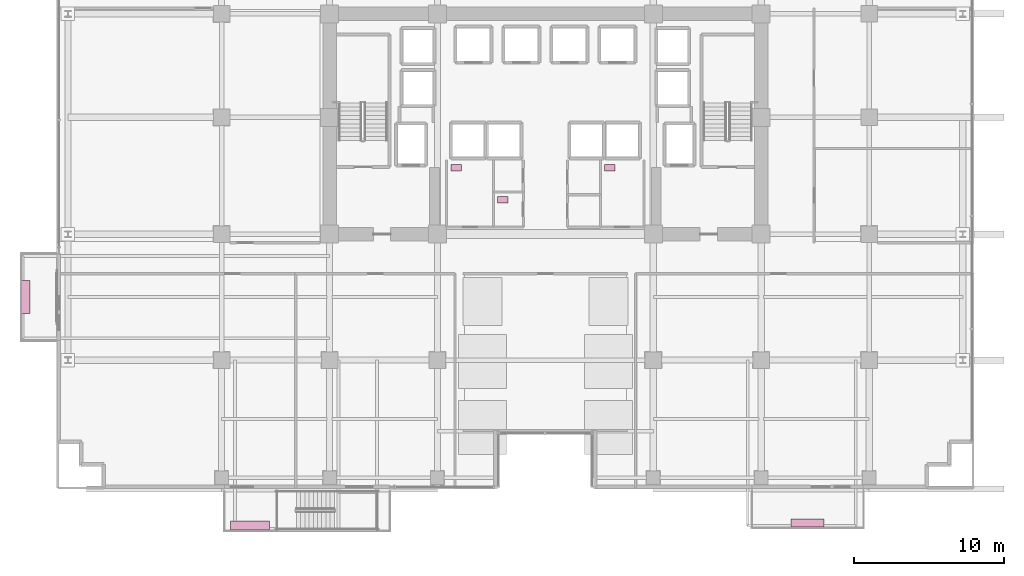
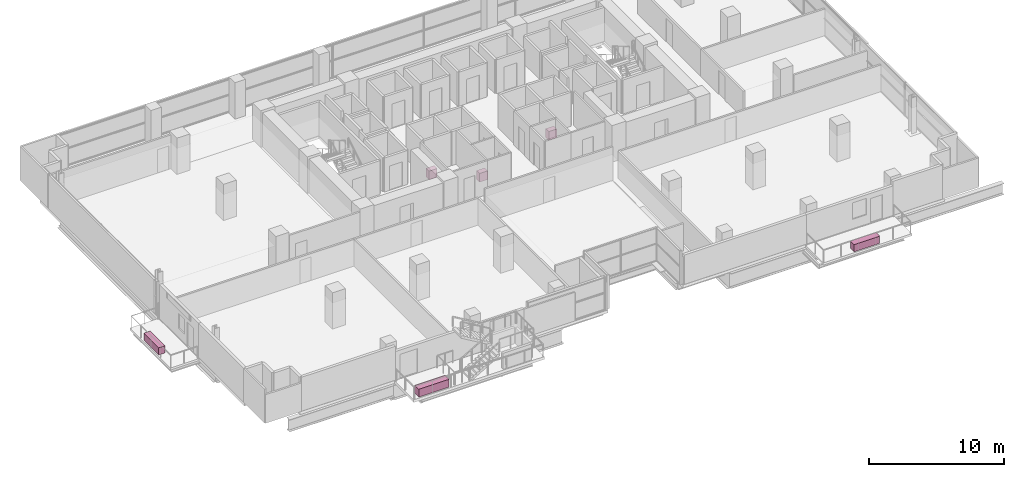
# One storey, part 32 of 32: 6 furnishings.
"""IFC4 building model written with IfcOpenShell, lengths in metres."""

from ifc_helpers import new_model, si_unit, direction, frame, origin, origin_2d, place, context, subcontext, project, spatial, rectangle, extrude, source, transform, mapped, material, type_object, element, save


model = new_model("IFC4")

# Units and contexts
model_context = context("Model", 3, precision=1e-05, world=origin(), true_north=direction((0.0, 1.0)))
body_context = subcontext(model_context, "Body", "Model", "MODEL_VIEW")
ifc_project = project(units=[si_unit("LENGTHUNIT", "METRE"), si_unit("AREAUNIT", "SQUARE_METRE"), si_unit("VOLUMEUNIT", "CUBIC_METRE"), si_unit("PLANEANGLEUNIT", "RADIAN"), si_unit("MASSUNIT", "GRAM", prefix="KILO")], contexts=[model_context])

# Site, building, storey
site_placement = place(None, origin())
site = spatial("IfcSite", under=ifc_project, at=site_placement, CompositionType="ELEMENT")
building_placement = place(site_placement, origin())
building = spatial("IfcBuilding", under=site, at=building_placement, Name="Zarnakvel Exchange Tower", CompositionType="ELEMENT")
storey_placement = place(building_placement, frame((0.0, 0.0, 27.39990234375)))
storey = spatial("IfcBuildingStorey", under=building, at=storey_placement, Name="L06", CompositionType="ELEMENT", Elevation=27.39990234375)

# Furnishings
ifc_material_1 = material(Name="Architectural Bronze Anodised Aluminium", Category="aluminium")
furnishing_element_type_1 = type_object("IfcFurnishingElementType", Name="PLNT-02", material=ifc_material_1)
shared_shape_1 = source(origin(), body_context, "Body", "SweptSolid", [
    extrude(rectangle(XDim=2.60009765625, YDim=0.60009765625, at=origin_2d()), origin(), (0.0, 0.0, 1.0), 0.699951171875),
])
furnishing_placement = place(storey_placement, frame((-19.699951171875, -20.639892578125, 0.0), z_axis=(0.0, 0.0, 1.0), x_axis=(1.0, 0.0, 0.0)))
element("IfcFurnishingElement", 1, at=furnishing_placement, inside=storey, type_object=furnishing_element_type_1, Name="L06 Spiral Sky-Terrace Tropical Planter", ObjectType="PLANTER", context=body_context, shape_type="MappedRepresentation", body=[
    mapped(shared_shape_1, transform((0.0, 0.0, 0.0), x_axis=(1.0, 0.0, 0.0), y_axis=(0.0, 1.0, 0.0), z_axis=(0.0, 0.0, 1.0), scale=1.0)),
])
furnishing_element_type_2 = type_object("IfcFurnishingElementType", Name="PLNT-01", material=ifc_material_1)
shared_shape_2 = source(origin(), body_context, "Body", "SweptSolid", [
    extrude(rectangle(XDim=2.199951171875, YDim=0.550048828125, at=origin_2d()), origin(), (0.0, 0.0, 1.0), 0.64990234375),
])
for number, where, z_axis, x_axis, name in (
    (2, (17.5, -20.469970703125, -0.059814453125), (0.0, 0.0, 1.0), (1.0, 0.0, 0.0), "L06 Balcony Greenery Planter BAL-L06-SE"),
    (3, (-34.669921875, -5.39990234375, -0.059814453125), (0.0, 0.0, 1.0), (0.0, 1.0, 0.0), "L06 Balcony Greenery Planter BAL-L06-W"),
):
    element("IfcFurnishingElement", number, at=place(storey_placement, frame(where, z_axis=z_axis, x_axis=x_axis)), inside=storey, type_object=furnishing_element_type_2, Name=name, ObjectType="PLANTER", context=body_context, shape_type="MappedRepresentation", body=[
        mapped(shared_shape_2, transform((0.0, 0.0, 0.0), x_axis=(1.0, 0.0, 0.0), y_axis=(0.0, 1.0, 0.0), z_axis=(0.0, 0.0, 1.0), scale=1.0)),
    ])
ifc_material_2 = material(Name="Vitreous China Sanitaryware", Category="ceramic")
furnishing_element_type_3 = type_object("IfcFurnishingElementType", Name="SAN-WC", material=ifc_material_2)
shared_shape_3 = source(origin(), body_context, "Body", "SweptSolid", [
    extrude(rectangle(XDim=0.699951171875, YDim=0.449951171875, at=origin_2d()), origin(), (0.0, 0.0, 1.0), 0.780029296875),
])
for number, where, z_axis, x_axis, name in (
    (4, (-5.949951171875, 3.22998046875, 0.0), (0.0, 0.0, 1.0), (1.0, 0.0, 0.0), "L06 Sanitary Fixture (Male Toilet)"),
    (5, (-2.840087890625, 1.10009765625, 0.0), (0.0, 0.0, 1.0), (1.0, 0.0, 0.0), "L06 Sanitary Fixture (Accessible Toilet)"),
    (6, (4.31005859375, 3.22998046875, 0.0), (0.0, 0.0, 1.0), (1.0, 0.0, 0.0), "L06 Sanitary Fixture (Female Toilet)"),
):
    element("IfcFurnishingElement", number, at=place(storey_placement, frame(where, z_axis=z_axis, x_axis=x_axis)), inside=storey, type_object=furnishing_element_type_3, Name=name, ObjectType="SANITARY_FIXTURE", context=body_context, shape_type="MappedRepresentation", body=[
        mapped(shared_shape_3, transform((0.0, 0.0, 0.0), x_axis=(1.0, 0.0, 0.0), y_axis=(0.0, 1.0, 0.0), z_axis=(0.0, 0.0, 1.0), scale=1.0)),
    ])

save(model, "model.ifc")
